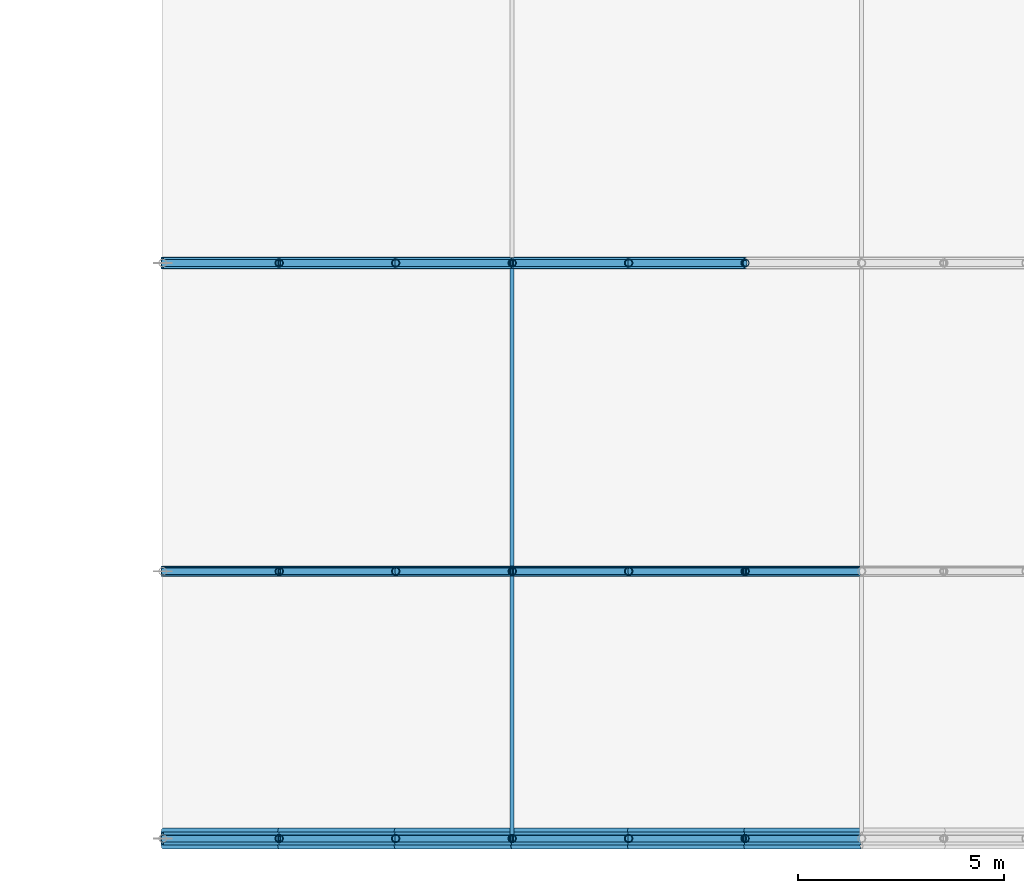
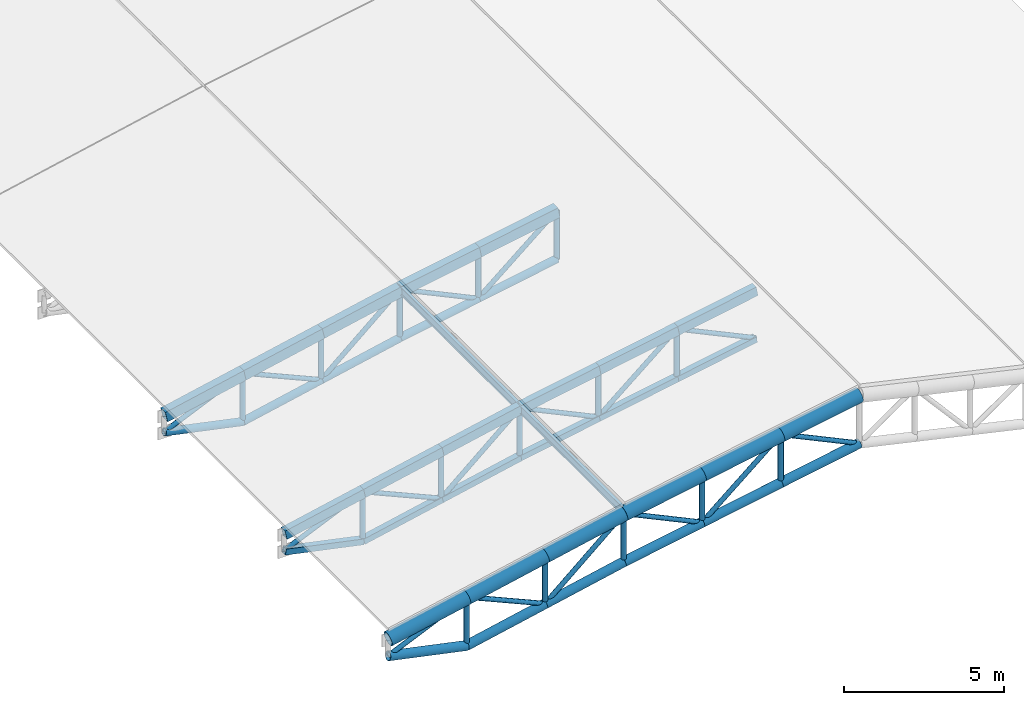
# One storey, part 1 of 28: 51 members, 17 beams.
"""IFC4 building model written with IfcOpenShell, lengths in metres."""

from ifc_helpers import new_model, si_unit, direction, frame, origin, origin_2d, place, context, subcontext, project, spatial, hollow_rectangle, hollow_circle, i_section, extrude, material, material_profile, profile_set, type_object, element, save


model = new_model("IFC4")

# Units and contexts
model_context = context("Model", 3, precision=1e-05, world=origin(), true_north=direction((0.0, 1.0)))
body_context = subcontext(model_context, "Body", "Model", "MODEL_VIEW")
ifc_project = project(units=[si_unit("LENGTHUNIT", "METRE"), si_unit("AREAUNIT", "SQUARE_METRE"), si_unit("VOLUMEUNIT", "CUBIC_METRE"), si_unit("PLANEANGLEUNIT", "RADIAN"), si_unit("MASSUNIT", "GRAM", prefix="KILO"), si_unit("THERMODYNAMICTEMPERATUREUNIT", "KELVIN"), si_unit("POWERUNIT", "WATT")], contexts=[model_context])

# Site, building, storey
site_placement = place(None, origin())
site = spatial("IfcSite", under=ifc_project, at=site_placement, CompositionType="ELEMENT")
building_placement = place(site_placement, origin())
building = spatial("IfcBuilding", under=site, at=building_placement, Name="Tepalcoro Natatorium and Aquatics Centre", CompositionType="ELEMENT")
storey_placement = place(building_placement, frame((0.0, 0.0, 23.199951171875)))
storey = spatial("IfcBuildingStorey", under=building, at=storey_placement, Name="RF", CompositionType="ELEMENT", Elevation=23.199951171875)

# Beams
ifc_material_1 = material(Name="Terracotta Painted Hollow Steel ASTM A500 Grade C (Fy 345 MPa)", Category="masonry")
ifc_material_profile_1 = material_profile(ifc_material_1, hollow_circle(Radius=0.25390625, WallThickness=0.02001953125, at=origin_2d()), Name="CHS508X20")
ifc_profile_set_1 = profile_set([ifc_material_profile_1], Name="Terracotta Painted Hollow Steel ASTM A500 Grade C (Fy 345 MPa)")
beam_type_1 = type_object("IfcBeamType", Name="AC_CHS508x20", PredefinedType="USERDEFINED", material=ifc_profile_set_1)
beam_1_placement = place(storey_placement, frame((142.0, 6.5, -3.717041015625), z_axis=(0.978074161878, 0.0, 0.208256893925), x_axis=(0.0, 1.0, 0.0)))
element("IfcBeam", 1, at=beam_1_placement, inside=storey, type_object=beam_type_1, Name="V2 Barrel-Arch Top Chord 1", ObjectType="ARCH CHORD", PredefinedType="USERDEFINED", context=body_context, shape_type="SweptSolid", body=[
    extrude(hollow_circle(Radius=0.25390625, WallThickness=0.02001953125, at=origin_2d()), origin(), (0.0, 0.0, 1.0), 2.896728515625),
])
beam_2_placement = place(storey_placement, frame((144.833251953125, 6.5, -3.11376953125), z_axis=(0.978060649356, 0.0, 0.208320345098), x_axis=(0.0, 1.0, 0.0)))
element("IfcBeam", 2, at=beam_2_placement, inside=storey, type_object=beam_type_1, Name="V2 Barrel-Arch Top Chord 1", ObjectType="ARCH CHORD", PredefinedType="USERDEFINED", context=body_context, shape_type="SweptSolid", body=[
    extrude(hollow_circle(Radius=0.25390625, WallThickness=0.02001953125, at=origin_2d()), origin(), (0.0, 0.0, 1.0), 2.89697265625),
])
beam_3_placement = place(storey_placement, frame((147.666748046875, 6.5, -2.51025390625), z_axis=(0.978074161878, 0.0, 0.208256893925), x_axis=(0.0, 1.0, 0.0)))
element("IfcBeam", 3, at=beam_3_placement, inside=storey, type_object=beam_type_1, Name="V2 Barrel-Arch Top Chord 1", ObjectType="ARCH CHORD", PredefinedType="USERDEFINED", context=body_context, shape_type="SweptSolid", body=[
    extrude(hollow_circle(Radius=0.25390625, WallThickness=0.02001953125, at=origin_2d()), origin(), (0.0, 0.0, 1.0), 2.896728515625),
])
for number, where, z_axis, x_axis, name in (
    (4, (150.5, 6.5, -1.906982421875), (0.98376530478, 0.0, 0.179459814754), (0.0, 1.0, 0.0), "V2 Barrel-Arch Top Chord 1"),
    (5, (153.333251953125, 6.5, -1.39013671875), (0.983782994882, 0.0, 0.179362813818), (0.0, 1.0, 0.0), "V2 Barrel-Arch Top Chord 1"),
):
    element("IfcBeam", number, at=place(storey_placement, frame(where, z_axis=z_axis, x_axis=x_axis)), inside=storey, type_object=beam_type_1, Name=name, ObjectType="ARCH CHORD", PredefinedType="USERDEFINED", context=body_context, shape_type="SweptSolid", body=[
        extrude(hollow_circle(Radius=0.25390625, WallThickness=0.02001953125, at=origin_2d()), origin(), (0.0, 0.0, 1.0), 2.880126953125),
    ])
beam_4_placement = place(storey_placement, frame((156.166748046875, 6.5, -0.87353515625), z_axis=(0.983780267563, 0.0, 0.179377772181), x_axis=(0.0, 1.0, 0.0)))
element("IfcBeam", 6, at=beam_4_placement, inside=storey, type_object=beam_type_1, Name="V2 Barrel-Arch Top Chord 1", ObjectType="ARCH CHORD", PredefinedType="USERDEFINED", context=body_context, shape_type="SweptSolid", body=[
    extrude(hollow_circle(Radius=0.25390625, WallThickness=0.02001953125, at=origin_2d()), origin(), (0.0, 0.0, 1.0), 2.8798828125),
])
ifc_material_profile_2 = material_profile(ifc_material_1, hollow_rectangle(XDim=0.25, YDim=0.35009765625, WallThickness=0.01611328125, at=origin_2d()), Name="HSS350X250X16")
ifc_profile_set_2 = profile_set([ifc_material_profile_2], Name="Terracotta Painted Hollow Steel ASTM A500 Grade C (Fy 345 MPa)")
beam_type_2 = type_object("IfcBeamType", Name="AC_HSS350x250x16", PredefinedType="USERDEFINED", material=ifc_profile_set_2)
beam_5_placement = place(storey_placement, frame((142.0, 13.0, -3.637939453125), z_axis=(0.978074161878, 0.0, 0.208256893925), x_axis=(0.0, 1.0, 0.0)))
element("IfcBeam", 7, at=beam_5_placement, inside=storey, type_object=beam_type_2, Name="V2 Barrel-Arch Top Chord 2", ObjectType="ARCH CHORD", PredefinedType="USERDEFINED", context=body_context, shape_type="SweptSolid", body=[
    extrude(hollow_rectangle(XDim=0.25, YDim=0.35009765625, WallThickness=0.01611328125, at=origin_2d()), origin(), (0.0, 0.0, 1.0), 2.896728515625),
])
beam_6_placement = place(storey_placement, frame((144.833251953125, 13.0, -3.03466796875), z_axis=(0.978060649356, 0.0, 0.208320345098), x_axis=(0.0, 1.0, 0.0)))
element("IfcBeam", 8, at=beam_6_placement, inside=storey, type_object=beam_type_2, Name="V2 Barrel-Arch Top Chord 2", ObjectType="ARCH CHORD", PredefinedType="USERDEFINED", context=body_context, shape_type="SweptSolid", body=[
    extrude(hollow_rectangle(XDim=0.25, YDim=0.35009765625, WallThickness=0.01611328125, at=origin_2d()), origin(), (0.0, 0.0, 1.0), 2.89697265625),
])
beam_7_placement = place(storey_placement, frame((147.666748046875, 13.0, -2.43115234375), z_axis=(0.978074161878, 0.0, 0.208256893925), x_axis=(0.0, 1.0, 0.0)))
element("IfcBeam", 9, at=beam_7_placement, inside=storey, type_object=beam_type_2, Name="V2 Barrel-Arch Top Chord 2", ObjectType="ARCH CHORD", PredefinedType="USERDEFINED", context=body_context, shape_type="SweptSolid", body=[
    extrude(hollow_rectangle(XDim=0.25, YDim=0.35009765625, WallThickness=0.01611328125, at=origin_2d()), origin(), (0.0, 0.0, 1.0), 2.896728515625),
])
beam_8_placement = place(storey_placement, frame((150.5, 13.0, -1.827880859375), z_axis=(0.983780267563, 0.0, 0.179377772181), x_axis=(0.0, 1.0, 0.0)))
element("IfcBeam", 10, at=beam_8_placement, inside=storey, type_object=beam_type_2, Name="V2 Barrel-Arch Top Chord 2", ObjectType="ARCH CHORD", PredefinedType="USERDEFINED", context=body_context, shape_type="SweptSolid", body=[
    extrude(hollow_rectangle(XDim=0.25, YDim=0.35009765625, WallThickness=0.01611328125, at=origin_2d()), origin(), (0.0, 0.0, 1.0), 2.8798828125),
])
for number, where, z_axis, x_axis, name in (
    (11, (153.333251953125, 13.0, -1.311279296875), (0.983782994882, 0.0, 0.179362813818), (0.0, 1.0, 0.0), "V2 Barrel-Arch Top Chord 2"),
    (12, (156.166748046875, 13.0, -0.794677734375), (0.98376530478, 0.0, 0.179459814754), (0.0, 1.0, 0.0), "V2 Barrel-Arch Top Chord 2"),
):
    element("IfcBeam", number, at=place(storey_placement, frame(where, z_axis=z_axis, x_axis=x_axis)), inside=storey, type_object=beam_type_2, Name=name, ObjectType="ARCH CHORD", PredefinedType="USERDEFINED", context=body_context, shape_type="SweptSolid", body=[
        extrude(hollow_rectangle(XDim=0.25, YDim=0.35009765625, WallThickness=0.01611328125, at=origin_2d()), origin(), (0.0, 0.0, 1.0), 2.880126953125),
    ])
ifc_material_profile_3 = material_profile(ifc_material_1, hollow_rectangle(XDim=0.300048828125, YDim=0.39990234375, WallThickness=0.01611328125, at=origin_2d()), Name="HSS400X300X16")
ifc_profile_set_3 = profile_set([ifc_material_profile_3], Name="Terracotta Painted Hollow Steel ASTM A500 Grade C (Fy 345 MPa)")
beam_type_3 = type_object("IfcBeamType", Name="AC_HSS400x300x16", PredefinedType="USERDEFINED", material=ifc_profile_set_3)
beam_9_placement = place(storey_placement, frame((142.0, 20.5, -3.662841796875), z_axis=(0.978074161878, 0.0, 0.208256893925), x_axis=(0.0, 1.0, 0.0)))
element("IfcBeam", 13, at=beam_9_placement, inside=storey, type_object=beam_type_3, Name="V2 Barrel-Arch Top Chord 3", ObjectType="ARCH CHORD", PredefinedType="USERDEFINED", context=body_context, shape_type="SweptSolid", body=[
    extrude(hollow_rectangle(XDim=0.300048828125, YDim=0.39990234375, WallThickness=0.01611328125, at=origin_2d()), origin(), (0.0, 0.0, 1.0), 2.896728515625),
])
beam_10_placement = place(storey_placement, frame((144.833251953125, 20.5, -3.0595703125), z_axis=(0.978077816746, 0.0, 0.208239728173), x_axis=(0.0, 1.0, 0.0)))
element("IfcBeam", 14, at=beam_10_placement, inside=storey, type_object=beam_type_3, Name="V2 Barrel-Arch Top Chord 3", ObjectType="ARCH CHORD", PredefinedType="USERDEFINED", context=body_context, shape_type="SweptSolid", body=[
    extrude(hollow_rectangle(XDim=0.300048828125, YDim=0.39990234375, WallThickness=0.01611328125, at=origin_2d()), origin(), (0.0, 0.0, 1.0), 2.89697265625),
])
beam_11_placement = place(storey_placement, frame((147.666748046875, 20.5, -2.456298828125), z_axis=(0.978074161878, 0.0, 0.208256893925), x_axis=(0.0, 1.0, 0.0)))
element("IfcBeam", 15, at=beam_11_placement, inside=storey, type_object=beam_type_3, Name="V2 Barrel-Arch Top Chord 3", ObjectType="ARCH CHORD", PredefinedType="USERDEFINED", context=body_context, shape_type="SweptSolid", body=[
    extrude(hollow_rectangle(XDim=0.300048828125, YDim=0.39990234375, WallThickness=0.01611328125, at=origin_2d()), origin(), (0.0, 0.0, 1.0), 2.896728515625),
])
for number, where, z_axis, x_axis, name in (
    (16, (150.5, 20.5, -1.85302734375), (0.98376530478, 0.0, 0.179459814754), (0.0, 1.0, 0.0), "V2 Barrel-Arch Top Chord 3"),
    (17, (153.333251953125, 20.5, -1.336181640625), (0.983782994882, 0.0, 0.179362813818), (0.0, 1.0, 0.0), "V2 Barrel-Arch Top Chord 3"),
):
    element("IfcBeam", number, at=place(storey_placement, frame(where, z_axis=z_axis, x_axis=x_axis)), inside=storey, type_object=beam_type_3, Name=name, ObjectType="ARCH CHORD", PredefinedType="USERDEFINED", context=body_context, shape_type="SweptSolid", body=[
        extrude(hollow_rectangle(XDim=0.300048828125, YDim=0.39990234375, WallThickness=0.01611328125, at=origin_2d()), origin(), (0.0, 0.0, 1.0), 2.880126953125),
    ])

# Members
ifc_material_profile_4 = material_profile(ifc_material_1, hollow_circle(Radius=0.136474609375, WallThickness=0.01611328125, at=origin_2d()), Name="CHS273X16")
ifc_profile_set_4 = profile_set([ifc_material_profile_4], Name="Terracotta Painted Hollow Steel ASTM A500 Grade C (Fy 345 MPa)")
member_type_1 = type_object("IfcMemberType", Name="MB_CH_CHS273x16", PredefinedType="CHORD", material=ifc_profile_set_4)
member_1_placement = place(storey_placement, frame((142.0, 20.5, -4.31298828125), z_axis=(0.978535468327, 0.0, -0.206078473468), x_axis=(0.0, 1.0, 0.0)))
element("IfcMember", 18, at=member_1_placement, inside=storey, type_object=member_type_1, Name="V2 Barrel-Arch Bottom Chord 3", PredefinedType="CHORD", context=body_context, shape_type="SweptSolid", body=[
    extrude(hollow_circle(Radius=0.136474609375, WallThickness=0.01611328125, at=origin_2d()), origin(), (0.0, 0.0, 1.0), 2.8955078125),
])
member_2_placement = place(storey_placement, frame((144.833251953125, 20.5, -4.90966796875), z_axis=(0.978060649356, 0.0, 0.208320345098), x_axis=(0.0, 1.0, 0.0)))
element("IfcMember", 19, at=member_2_placement, inside=storey, type_object=member_type_1, Name="V2 Barrel-Arch Bottom Chord 3", PredefinedType="CHORD", context=body_context, shape_type="SweptSolid", body=[
    extrude(hollow_circle(Radius=0.136474609375, WallThickness=0.01611328125, at=origin_2d()), origin(), (0.0, 0.0, 1.0), 2.89697265625),
])
member_3_placement = place(storey_placement, frame((147.666748046875, 20.5, -4.30615234375), z_axis=(0.978074161878, 0.0, 0.208256893925), x_axis=(0.0, 1.0, 0.0)))
element("IfcMember", 20, at=member_3_placement, inside=storey, type_object=member_type_1, Name="V2 Barrel-Arch Bottom Chord 3", PredefinedType="CHORD", context=body_context, shape_type="SweptSolid", body=[
    extrude(hollow_circle(Radius=0.136474609375, WallThickness=0.01611328125, at=origin_2d()), origin(), (0.0, 0.0, 1.0), 2.896728515625),
])
member_4_placement = place(storey_placement, frame((150.5, 20.5, -3.702880859375), z_axis=(0.983780267563, 0.0, 0.179377772181), x_axis=(0.0, 1.0, 0.0)))
element("IfcMember", 21, at=member_4_placement, inside=storey, type_object=member_type_1, Name="V2 Barrel-Arch Bottom Chord 3", PredefinedType="CHORD", context=body_context, shape_type="SweptSolid", body=[
    extrude(hollow_circle(Radius=0.136474609375, WallThickness=0.01611328125, at=origin_2d()), origin(), (0.0, 0.0, 1.0), 2.8798828125),
])
member_5_placement = place(storey_placement, frame((153.333251953125, 20.5, -3.186279296875), z_axis=(0.983782994882, 0.0, 0.179362813818), x_axis=(0.0, 1.0, 0.0)))
element("IfcMember", 22, at=member_5_placement, inside=storey, type_object=member_type_1, Name="V2 Barrel-Arch Bottom Chord 3", PredefinedType="CHORD", context=body_context, shape_type="SweptSolid", body=[
    extrude(hollow_circle(Radius=0.136474609375, WallThickness=0.01611328125, at=origin_2d()), origin(), (0.0, 0.0, 1.0), 2.880126953125),
])
ifc_material_profile_5 = material_profile(ifc_material_1, hollow_circle(Radius=0.162109375, WallThickness=0.013916015625, at=origin_2d()), Name="CHS324X14")
ifc_profile_set_5 = profile_set([ifc_material_profile_5], Name="Terracotta Painted Hollow Steel ASTM A500 Grade C (Fy 345 MPa)")
member_type_2 = type_object("IfcMemberType", Name="MB_CH_CHS324x14", PredefinedType="CHORD", material=ifc_profile_set_5)
member_6_placement = place(storey_placement, frame((142.0, 6.5, -4.366943359375), z_axis=(0.978535468327, 0.0, -0.206078473468), x_axis=(0.0, 1.0, 0.0)))
element("IfcMember", 23, at=member_6_placement, inside=storey, type_object=member_type_2, Name="V2 Barrel-Arch Bottom Chord 1", PredefinedType="CHORD", context=body_context, shape_type="SweptSolid", body=[
    extrude(hollow_circle(Radius=0.162109375, WallThickness=0.013916015625, at=origin_2d()), origin(), (0.0, 0.0, 1.0), 2.8955078125),
])
member_7_placement = place(storey_placement, frame((144.833251953125, 6.5, -4.963623046875), z_axis=(0.978077816746, 0.0, 0.208239728173), x_axis=(0.0, 1.0, 0.0)))
element("IfcMember", 24, at=member_7_placement, inside=storey, type_object=member_type_2, Name="V2 Barrel-Arch Bottom Chord 1", PredefinedType="CHORD", context=body_context, shape_type="SweptSolid", body=[
    extrude(hollow_circle(Radius=0.162109375, WallThickness=0.013916015625, at=origin_2d()), origin(), (0.0, 0.0, 1.0), 2.89697265625),
])
member_8_placement = place(storey_placement, frame((147.666748046875, 6.5, -4.3603515625), z_axis=(0.978056991721, 0.0, 0.208337516892), x_axis=(0.0, 1.0, 0.0)))
element("IfcMember", 25, at=member_8_placement, inside=storey, type_object=member_type_2, Name="V2 Barrel-Arch Bottom Chord 1", PredefinedType="CHORD", context=body_context, shape_type="SweptSolid", body=[
    extrude(hollow_circle(Radius=0.162109375, WallThickness=0.013916015625, at=origin_2d()), origin(), (0.0, 0.0, 1.0), 2.896728515625),
])
member_9_placement = place(storey_placement, frame((150.5, 6.5, -3.7568359375), z_axis=(0.983780267563, 0.0, 0.179377772181), x_axis=(0.0, 1.0, 0.0)))
element("IfcMember", 26, at=member_9_placement, inside=storey, type_object=member_type_2, Name="V2 Barrel-Arch Bottom Chord 1", PredefinedType="CHORD", context=body_context, shape_type="SweptSolid", body=[
    extrude(hollow_circle(Radius=0.162109375, WallThickness=0.013916015625, at=origin_2d()), origin(), (0.0, 0.0, 1.0), 2.8798828125),
])
member_10_placement = place(storey_placement, frame((153.333251953125, 6.5, -3.240234375), z_axis=(0.983782994882, 0.0, 0.179362813818), x_axis=(0.0, 1.0, 0.0)))
element("IfcMember", 27, at=member_10_placement, inside=storey, type_object=member_type_2, Name="V2 Barrel-Arch Bottom Chord 1", PredefinedType="CHORD", context=body_context, shape_type="SweptSolid", body=[
    extrude(hollow_circle(Radius=0.162109375, WallThickness=0.013916015625, at=origin_2d()), origin(), (0.0, 0.0, 1.0), 2.880126953125),
])
member_11_placement = place(storey_placement, frame((156.166748046875, 6.5, -2.7236328125), z_axis=(0.983780267563, 0.0, 0.179377772181), x_axis=(0.0, 1.0, 0.0)))
element("IfcMember", 28, at=member_11_placement, inside=storey, type_object=member_type_2, Name="V2 Barrel-Arch Bottom Chord 1", PredefinedType="CHORD", context=body_context, shape_type="SweptSolid", body=[
    extrude(hollow_circle(Radius=0.162109375, WallThickness=0.013916015625, at=origin_2d()), origin(), (0.0, 0.0, 1.0), 2.8798828125),
])
ifc_material_profile_6 = material_profile(ifc_material_1, hollow_rectangle(XDim=0.219970703125, YDim=0.219970703125, WallThickness=0.011962890625, at=origin_2d()), Name="HSS220X220X12")
ifc_profile_set_6 = profile_set([ifc_material_profile_6], Name="Terracotta Painted Hollow Steel ASTM A500 Grade C (Fy 345 MPa)")
member_type_3 = type_object("IfcMemberType", Name="MB_CH_HSS220x220x12", PredefinedType="CHORD", material=ifc_profile_set_6)
member_12_placement = place(storey_placement, frame((142.0, 13.0, -4.287841796875), z_axis=(0.978518461701, 0.0, -0.206159210587), x_axis=(0.0, 1.0, 0.0)))
element("IfcMember", 29, at=member_12_placement, inside=storey, type_object=member_type_3, Name="V2 Barrel-Arch Bottom Chord 2", PredefinedType="CHORD", context=body_context, shape_type="SweptSolid", body=[
    extrude(hollow_rectangle(XDim=0.219970703125, YDim=0.219970703125, WallThickness=0.011962890625, at=origin_2d()), origin(), (0.0, 0.0, 1.0), 2.8955078125),
])
member_13_placement = place(storey_placement, frame((144.833251953125, 13.0, -4.884765625), z_axis=(0.978060649356, 0.0, 0.208320345098), x_axis=(0.0, 1.0, 0.0)))
element("IfcMember", 30, at=member_13_placement, inside=storey, type_object=member_type_3, Name="V2 Barrel-Arch Bottom Chord 2", PredefinedType="CHORD", context=body_context, shape_type="SweptSolid", body=[
    extrude(hollow_rectangle(XDim=0.219970703125, YDim=0.219970703125, WallThickness=0.011962890625, at=origin_2d()), origin(), (0.0, 0.0, 1.0), 2.89697265625),
])
member_14_placement = place(storey_placement, frame((147.666748046875, 13.0, -4.28125), z_axis=(0.978074161878, 0.0, 0.208256893925), x_axis=(0.0, 1.0, 0.0)))
element("IfcMember", 31, at=member_14_placement, inside=storey, type_object=member_type_3, Name="V2 Barrel-Arch Bottom Chord 2", PredefinedType="CHORD", context=body_context, shape_type="SweptSolid", body=[
    extrude(hollow_rectangle(XDim=0.219970703125, YDim=0.219970703125, WallThickness=0.011962890625, at=origin_2d()), origin(), (0.0, 0.0, 1.0), 2.896728515625),
])
for number, where, z_axis, x_axis, name in (
    (32, (150.5, 13.0, -3.677978515625), (0.98376530478, 0.0, 0.179459814754), (0.0, 1.0, 0.0), "V2 Barrel-Arch Bottom Chord 2"),
    (33, (153.333251953125, 13.0, -3.1611328125), (0.983782994882, 0.0, 0.179362813818), (0.0, 1.0, 0.0), "V2 Barrel-Arch Bottom Chord 2"),
):
    element("IfcMember", number, at=place(storey_placement, frame(where, z_axis=z_axis, x_axis=x_axis)), inside=storey, type_object=member_type_3, Name=name, PredefinedType="CHORD", context=body_context, shape_type="SweptSolid", body=[
        extrude(hollow_rectangle(XDim=0.219970703125, YDim=0.219970703125, WallThickness=0.011962890625, at=origin_2d()), origin(), (0.0, 0.0, 1.0), 2.880126953125),
    ])
member_15_placement = place(storey_placement, frame((156.166748046875, 13.0, -2.64453125), z_axis=(0.983780267563, 0.0, 0.179377772181), x_axis=(0.0, 1.0, 0.0)))
element("IfcMember", 34, at=member_15_placement, inside=storey, type_object=member_type_3, Name="V2 Barrel-Arch Bottom Chord 2", PredefinedType="CHORD", context=body_context, shape_type="SweptSolid", body=[
    extrude(hollow_rectangle(XDim=0.219970703125, YDim=0.219970703125, WallThickness=0.011962890625, at=origin_2d()), origin(), (0.0, 0.0, 1.0), 2.8798828125),
])
ifc_material_2 = material(Name="Steel ASTM A992 Grade 50 (Fy 345 MPa)", Category="steel")
ifc_material_profile_7 = material_profile(ifc_material_2, i_section(OverallWidth=0.10205078125, OverallDepth=0.31201171875, WebThickness=0.007080078125, FlangeThickness=0.010986328125, FilletRadius=0.013916015625, at=origin_2d()), Name="W12X22")
ifc_profile_set_7 = profile_set([ifc_material_profile_7], Name="Steel ASTM A992 Grade 50 (Fy 345 MPa)")
member_type_4 = type_object("IfcMemberType", Name="MB_PR_W12x22", PredefinedType="PURLIN", material=ifc_profile_set_7)
member_16_placement = place(storey_placement, frame((150.5, 6.5, -1.808837890625), z_axis=(0.0, 1.0, 0.0), x_axis=(-1.0, 0.0, 0.0)))
element("IfcMember", 35, at=member_16_placement, inside=storey, type_object=member_type_4, Name="V2 Barrel-Arch Roof Purlin", PredefinedType="PURLIN", context=body_context, shape_type="SweptSolid", body=[
    extrude(i_section(OverallWidth=0.10205078125, OverallDepth=0.31201171875, WebThickness=0.007080078125, FlangeThickness=0.010986328125, FilletRadius=0.013916015625, at=origin_2d()), origin(), (0.0, 0.0, 1.0), 6.5),
])
member_17_placement = place(storey_placement, frame((150.5, 13.0, -1.808837890625), z_axis=(0.0, 1.0, 0.0), x_axis=(-1.0, 0.0, 0.0)))
element("IfcMember", 36, at=member_17_placement, inside=storey, type_object=member_type_4, Name="V2 Barrel-Arch Roof Purlin", PredefinedType="PURLIN", context=body_context, shape_type="SweptSolid", body=[
    extrude(i_section(OverallWidth=0.10205078125, OverallDepth=0.31201171875, WebThickness=0.007080078125, FlangeThickness=0.010986328125, FilletRadius=0.013916015625, at=origin_2d()), origin(), (0.0, 0.0, 1.0), 7.5),
])
ifc_material_profile_8 = material_profile(ifc_material_1, hollow_circle(Radius=0.096923828125, WallThickness=0.010009765625, at=origin_2d()), Name="CHS194X10")
ifc_profile_set_8 = profile_set([ifc_material_profile_8], Name="Terracotta Painted Hollow Steel ASTM A500 Grade C (Fy 345 MPa)")
member_type_5 = type_object("IfcMemberType", Name="MB_PS_CHS194x10", PredefinedType="POST", material=ifc_profile_set_8)
member_18_placement = place(storey_placement, frame((144.833251953125, 6.5, -4.963623046875), z_axis=(0.0, 0.0, 1.0), x_axis=(1.0, 0.0, 0.0)))
element("IfcMember", 37, at=member_18_placement, inside=storey, type_object=member_type_5, Name="V2 Barrel-Arch Post 1", PredefinedType="POST", context=body_context, shape_type="SweptSolid", body=[
    extrude(hollow_circle(Radius=0.096923828125, WallThickness=0.010009765625, at=origin_2d()), origin(), (0.0, 0.0, 1.0), 1.849853515625),
])
member_19_placement = place(storey_placement, frame((147.666748046875, 6.5, -4.3603515625), z_axis=(0.0, 0.0, 1.0), x_axis=(1.0, 0.0, 0.0)))
element("IfcMember", 38, at=member_19_placement, inside=storey, type_object=member_type_5, Name="V2 Barrel-Arch Post 1", PredefinedType="POST", context=body_context, shape_type="SweptSolid", body=[
    extrude(hollow_circle(Radius=0.096923828125, WallThickness=0.010009765625, at=origin_2d()), origin(), (0.0, 0.0, 1.0), 1.85009765625),
])
member_20_placement = place(storey_placement, frame((150.5, 6.5, -3.7568359375), z_axis=(0.0, 0.0, 1.0), x_axis=(1.0, 0.0, 0.0)))
element("IfcMember", 39, at=member_20_placement, inside=storey, type_object=member_type_5, Name="V2 Barrel-Arch Post 1", PredefinedType="POST", context=body_context, shape_type="SweptSolid", body=[
    extrude(hollow_circle(Radius=0.096923828125, WallThickness=0.010009765625, at=origin_2d()), origin(), (0.0, 0.0, 1.0), 1.849853515625),
])
for number, where, z_axis, x_axis, name in (
    (40, (153.333251953125, 6.5, -3.240234375), (0.0, 0.0, 1.0), (1.0, 0.0, 0.0), "V2 Barrel-Arch Post 1"),
    (41, (156.166748046875, 6.5, -2.7236328125), (0.0, 0.0, 1.0), (1.0, 0.0, 0.0), "V2 Barrel-Arch Post 1"),
    (42, (144.833251953125, 13.0, -4.884765625), (0.0, 0.0, 1.0), (1.0, 0.0, 0.0), "V2 Barrel-Arch Post 2"),
    (43, (147.666748046875, 13.0, -4.28125), (0.0, 0.0, 1.0), (1.0, 0.0, 0.0), "V2 Barrel-Arch Post 2"),
    (44, (150.5, 13.0, -3.677978515625), (0.0, 0.0, 1.0), (1.0, 0.0, 0.0), "V2 Barrel-Arch Post 2"),
):
    element("IfcMember", number, at=place(storey_placement, frame(where, z_axis=z_axis, x_axis=x_axis)), inside=storey, type_object=member_type_5, Name=name, PredefinedType="POST", context=body_context, shape_type="SweptSolid", body=[
        extrude(hollow_circle(Radius=0.096923828125, WallThickness=0.010009765625, at=origin_2d()), origin(), (0.0, 0.0, 1.0), 1.85009765625),
    ])
for number, where, z_axis, x_axis, name in (
    (45, (153.333251953125, 13.0, -3.1611328125), (0.0, 0.0, 1.0), (1.0, 0.0, 0.0), "V2 Barrel-Arch Post 2"),
    (46, (156.166748046875, 13.0, -2.64453125), (0.0, 0.0, 1.0), (1.0, 0.0, 0.0), "V2 Barrel-Arch Post 2"),
):
    element("IfcMember", number, at=place(storey_placement, frame(where, z_axis=z_axis, x_axis=x_axis)), inside=storey, type_object=member_type_5, Name=name, PredefinedType="POST", context=body_context, shape_type="SweptSolid", body=[
        extrude(hollow_circle(Radius=0.096923828125, WallThickness=0.010009765625, at=origin_2d()), origin(), (0.0, 0.0, 1.0), 1.849853515625),
    ])
member_21_placement = place(storey_placement, frame((144.833251953125, 20.5, -4.90966796875), z_axis=(0.0, 0.0, 1.0), x_axis=(1.0, 0.0, 0.0)))
element("IfcMember", 47, at=member_21_placement, inside=storey, type_object=member_type_5, Name="V2 Barrel-Arch Post 3", PredefinedType="POST", context=body_context, shape_type="SweptSolid", body=[
    extrude(hollow_circle(Radius=0.096923828125, WallThickness=0.010009765625, at=origin_2d()), origin(), (0.0, 0.0, 1.0), 1.85009765625),
])
for number, where, z_axis, x_axis, name in (
    (48, (147.666748046875, 20.5, -4.30615234375), (0.0, 0.0, 1.0), (1.0, 0.0, 0.0), "V2 Barrel-Arch Post 3"),
    (49, (150.5, 20.5, -3.702880859375), (0.0, 0.0, 1.0), (1.0, 0.0, 0.0), "V2 Barrel-Arch Post 3"),
):
    element("IfcMember", number, at=place(storey_placement, frame(where, z_axis=z_axis, x_axis=x_axis)), inside=storey, type_object=member_type_5, Name=name, PredefinedType="POST", context=body_context, shape_type="SweptSolid", body=[
        extrude(hollow_circle(Radius=0.096923828125, WallThickness=0.010009765625, at=origin_2d()), origin(), (0.0, 0.0, 1.0), 1.849853515625),
    ])
for number, where, z_axis, x_axis, name in (
    (50, (153.333251953125, 20.5, -3.186279296875), (0.0, 0.0, 1.0), (1.0, 0.0, 0.0), "V2 Barrel-Arch Post 3"),
    (51, (156.166748046875, 20.5, -2.669677734375), (0.0, 0.0, 1.0), (1.0, 0.0, 0.0), "V2 Barrel-Arch Post 3"),
):
    element("IfcMember", number, at=place(storey_placement, frame(where, z_axis=z_axis, x_axis=x_axis)), inside=storey, type_object=member_type_5, Name=name, PredefinedType="POST", context=body_context, shape_type="SweptSolid", body=[
        extrude(hollow_circle(Radius=0.096923828125, WallThickness=0.010009765625, at=origin_2d()), origin(), (0.0, 0.0, 1.0), 1.85009765625),
    ])
ifc_material_profile_9 = material_profile(ifc_material_1, hollow_circle(Radius=0.083984375, WallThickness=0.011962890625, at=origin_2d()), Name="CHS168X12")
ifc_profile_set_9 = profile_set([ifc_material_profile_9], Name="Terracotta Painted Hollow Steel ASTM A500 Grade C (Fy 345 MPa)")
member_type_6 = type_object("IfcMemberType", Name="MB_ST_CHS168x12", PredefinedType="STRUT", material=ifc_profile_set_9)
member_22_placement = place(storey_placement, frame((142.0, 6.5, -4.366943359375), z_axis=(0.914534777126, 0.0, 0.404507282291), x_axis=(0.0, 1.0, 0.0)))
element("IfcMember", 52, at=member_22_placement, inside=storey, type_object=member_type_6, Name="V2 Barrel-Arch Web Diagonal 1", PredefinedType="STRUT", context=body_context, shape_type="SweptSolid", body=[
    extrude(hollow_circle(Radius=0.083984375, WallThickness=0.011962890625, at=origin_2d()), origin(), (0.0, 0.0, 1.0), 3.09814453125),
])
member_23_placement = place(storey_placement, frame((144.833251953125, 6.5, -3.11376953125), z_axis=(0.915333638203, 0.0, -0.402696325751), x_axis=(0.0, 1.0, 0.0)))
element("IfcMember", 53, at=member_23_placement, inside=storey, type_object=member_type_6, Name="V2 Barrel-Arch Web Diagonal 1", PredefinedType="STRUT", context=body_context, shape_type="SweptSolid", body=[
    extrude(hollow_circle(Radius=0.083984375, WallThickness=0.011962890625, at=origin_2d()), origin(), (0.0, 0.0, 1.0), 3.095703125),
])
member_24_placement = place(storey_placement, frame((147.666748046875, 6.5, -4.3603515625), z_axis=(0.755968428553, 0.0, 0.654608077426), x_axis=(0.0, 1.0, 0.0)))
element("IfcMember", 54, at=member_24_placement, inside=storey, type_object=member_type_6, Name="V2 Barrel-Arch Web Diagonal 1", PredefinedType="STRUT", context=body_context, shape_type="SweptSolid", body=[
    extrude(hollow_circle(Radius=0.083984375, WallThickness=0.011962890625, at=origin_2d()), origin(), (0.0, 0.0, 1.0), 3.747802734375),
])
member_25_placement = place(storey_placement, frame((150.5, 6.5, -1.906982421875), z_axis=(0.904824003103, 0.0, -0.425785771732), x_axis=(0.0, 1.0, 0.0)))
element("IfcMember", 55, at=member_25_placement, inside=storey, type_object=member_type_6, Name="V2 Barrel-Arch Web Diagonal 1", PredefinedType="STRUT", context=body_context, shape_type="SweptSolid", body=[
    extrude(hollow_circle(Radius=0.083984375, WallThickness=0.011962890625, at=origin_2d()), origin(), (0.0, 0.0, 1.0), 3.13134765625),
])
member_26_placement = place(storey_placement, frame((153.333251953125, 6.5, -3.240234375), z_axis=(0.767494449024, 0.0, 0.641055590973), x_axis=(0.0, 1.0, 0.0)))
element("IfcMember", 56, at=member_26_placement, inside=storey, type_object=member_type_6, Name="V2 Barrel-Arch Web Diagonal 1", PredefinedType="STRUT", context=body_context, shape_type="SweptSolid", body=[
    extrude(hollow_circle(Radius=0.083984375, WallThickness=0.011962890625, at=origin_2d()), origin(), (0.0, 0.0, 1.0), 3.69189453125),
])
member_27_placement = place(storey_placement, frame((156.166748046875, 6.5, -0.87353515625), z_axis=(0.904793963626, 0.0, -0.425849601838), x_axis=(0.0, 1.0, 0.0)))
element("IfcMember", 57, at=member_27_placement, inside=storey, type_object=member_type_6, Name="V2 Barrel-Arch Web Diagonal 1", PredefinedType="STRUT", context=body_context, shape_type="SweptSolid", body=[
    extrude(hollow_circle(Radius=0.083984375, WallThickness=0.011962890625, at=origin_2d()), origin(), (0.0, 0.0, 1.0), 3.13134765625),
])
member_28_placement = place(storey_placement, frame((142.0, 13.0, -4.287841796875), z_axis=(0.914534777126, 0.0, 0.404507282291), x_axis=(0.0, 1.0, 0.0)))
element("IfcMember", 58, at=member_28_placement, inside=storey, type_object=member_type_6, Name="V2 Barrel-Arch Web Diagonal 2", PredefinedType="STRUT", context=body_context, shape_type="SweptSolid", body=[
    extrude(hollow_circle(Radius=0.083984375, WallThickness=0.011962890625, at=origin_2d()), origin(), (0.0, 0.0, 1.0), 3.09814453125),
])
member_29_placement = place(storey_placement, frame((144.833251953125, 13.0, -3.03466796875), z_axis=(0.915333638203, 0.0, -0.402696325751), x_axis=(0.0, 1.0, 0.0)))
element("IfcMember", 59, at=member_29_placement, inside=storey, type_object=member_type_6, Name="V2 Barrel-Arch Web Diagonal 2", PredefinedType="STRUT", context=body_context, shape_type="SweptSolid", body=[
    extrude(hollow_circle(Radius=0.083984375, WallThickness=0.011962890625, at=origin_2d()), origin(), (0.0, 0.0, 1.0), 3.095703125),
])
member_30_placement = place(storey_placement, frame((147.666748046875, 13.0, -4.28125), z_axis=(0.755968428553, 0.0, 0.654608077426), x_axis=(0.0, 1.0, 0.0)))
element("IfcMember", 60, at=member_30_placement, inside=storey, type_object=member_type_6, Name="V2 Barrel-Arch Web Diagonal 2", PredefinedType="STRUT", context=body_context, shape_type="SweptSolid", body=[
    extrude(hollow_circle(Radius=0.083984375, WallThickness=0.011962890625, at=origin_2d()), origin(), (0.0, 0.0, 1.0), 3.747802734375),
])
member_31_placement = place(storey_placement, frame((150.5, 13.0, -1.827880859375), z_axis=(0.904824003103, 0.0, -0.425785771732), x_axis=(0.0, 1.0, 0.0)))
element("IfcMember", 61, at=member_31_placement, inside=storey, type_object=member_type_6, Name="V2 Barrel-Arch Web Diagonal 2", PredefinedType="STRUT", context=body_context, shape_type="SweptSolid", body=[
    extrude(hollow_circle(Radius=0.083984375, WallThickness=0.011962890625, at=origin_2d()), origin(), (0.0, 0.0, 1.0), 3.13134765625),
])
member_32_placement = place(storey_placement, frame((153.333251953125, 13.0, -3.1611328125), z_axis=(0.767526985373, 0.0, 0.641016635294), x_axis=(0.0, 1.0, 0.0)))
element("IfcMember", 62, at=member_32_placement, inside=storey, type_object=member_type_6, Name="V2 Barrel-Arch Web Diagonal 2", PredefinedType="STRUT", context=body_context, shape_type="SweptSolid", body=[
    extrude(hollow_circle(Radius=0.083984375, WallThickness=0.011962890625, at=origin_2d()), origin(), (0.0, 0.0, 1.0), 3.691650390625),
])
member_33_placement = place(storey_placement, frame((156.166748046875, 13.0, -0.794677734375), z_axis=(0.904824003103, 0.0, -0.425785771732), x_axis=(0.0, 1.0, 0.0)))
element("IfcMember", 63, at=member_33_placement, inside=storey, type_object=member_type_6, Name="V2 Barrel-Arch Web Diagonal 2", PredefinedType="STRUT", context=body_context, shape_type="SweptSolid", body=[
    extrude(hollow_circle(Radius=0.083984375, WallThickness=0.011962890625, at=origin_2d()), origin(), (0.0, 0.0, 1.0), 3.13134765625),
])
member_34_placement = place(storey_placement, frame((142.0, 20.5, -4.31298828125), z_axis=(0.914505622788, 0.0, 0.40457318978), x_axis=(0.0, 1.0, 0.0)))
element("IfcMember", 64, at=member_34_placement, inside=storey, type_object=member_type_6, Name="V2 Barrel-Arch Web Diagonal 3", PredefinedType="STRUT", context=body_context, shape_type="SweptSolid", body=[
    extrude(hollow_circle(Radius=0.083984375, WallThickness=0.011962890625, at=origin_2d()), origin(), (0.0, 0.0, 1.0), 3.09814453125),
])
member_35_placement = place(storey_placement, frame((144.833251953125, 20.5, -3.0595703125), z_axis=(0.915333638203, 0.0, -0.402696325751), x_axis=(0.0, 1.0, 0.0)))
element("IfcMember", 65, at=member_35_placement, inside=storey, type_object=member_type_6, Name="V2 Barrel-Arch Web Diagonal 3", PredefinedType="STRUT", context=body_context, shape_type="SweptSolid", body=[
    extrude(hollow_circle(Radius=0.083984375, WallThickness=0.011962890625, at=origin_2d()), origin(), (0.0, 0.0, 1.0), 3.095703125),
])
member_36_placement = place(storey_placement, frame((147.666748046875, 20.5, -4.30615234375), z_axis=(0.756000665188, 0.0, 0.654570847377), x_axis=(0.0, 1.0, 0.0)))
element("IfcMember", 66, at=member_36_placement, inside=storey, type_object=member_type_6, Name="V2 Barrel-Arch Web Diagonal 3", PredefinedType="STRUT", context=body_context, shape_type="SweptSolid", body=[
    extrude(hollow_circle(Radius=0.083984375, WallThickness=0.011962890625, at=origin_2d()), origin(), (0.0, 0.0, 1.0), 3.747802734375),
])
member_37_placement = place(storey_placement, frame((150.5, 20.5, -1.85302734375), z_axis=(0.904824003103, 0.0, -0.425785771732), x_axis=(0.0, 1.0, 0.0)))
element("IfcMember", 67, at=member_37_placement, inside=storey, type_object=member_type_6, Name="V2 Barrel-Arch Web Diagonal 3", PredefinedType="STRUT", context=body_context, shape_type="SweptSolid", body=[
    extrude(hollow_circle(Radius=0.083984375, WallThickness=0.011962890625, at=origin_2d()), origin(), (0.0, 0.0, 1.0), 3.13134765625),
])
member_38_placement = place(storey_placement, frame((153.333251953125, 20.5, -3.186279296875), z_axis=(0.767494449024, 0.0, 0.641055590973), x_axis=(0.0, 1.0, 0.0)))
element("IfcMember", 68, at=member_38_placement, inside=storey, type_object=member_type_6, Name="V2 Barrel-Arch Web Diagonal 3", PredefinedType="STRUT", context=body_context, shape_type="SweptSolid", body=[
    extrude(hollow_circle(Radius=0.083984375, WallThickness=0.011962890625, at=origin_2d()), origin(), (0.0, 0.0, 1.0), 3.69189453125),
])

save(model, "model.ifc")
